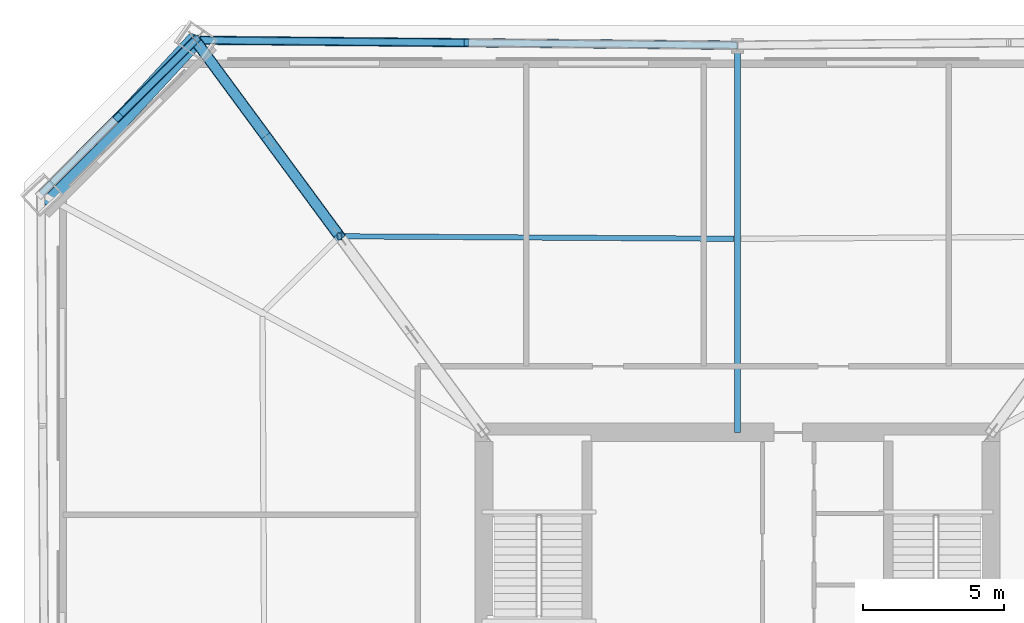
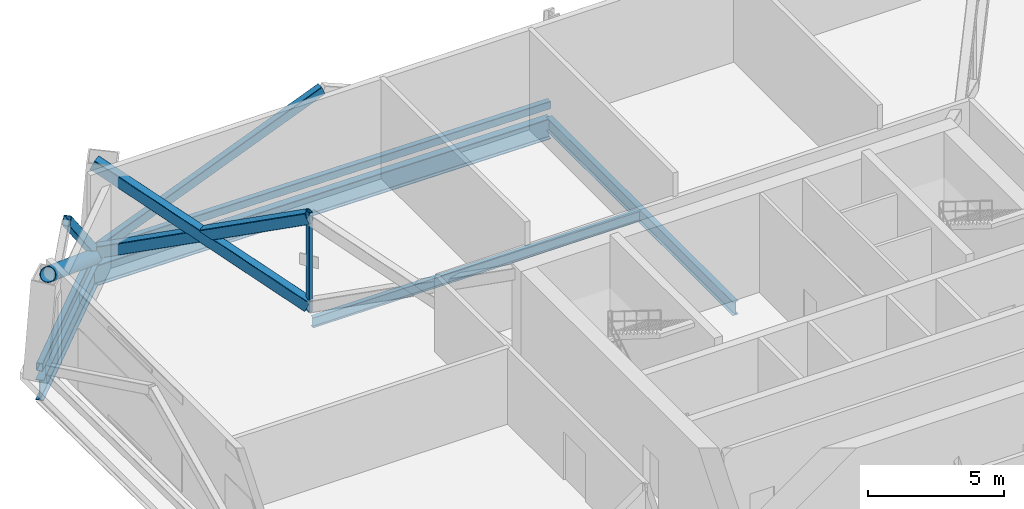
# One storey, part 6 of 14: 9 members, 4 beams.
"""IFC4 building model written with IfcOpenShell, lengths in metres."""

from ifc_helpers import new_model, si_unit, direction, frame, origin, origin_2d, place, context, subcontext, project, spatial, hollow_rectangle, hollow_circle, i_section, extrude, material, material_profile, profile_set, type_object, element, save


model = new_model("IFC4")

# Units and contexts
model_context = context("Model", 3, precision=1e-05, world=origin(), true_north=direction((0.0, 1.0)))
body_context = subcontext(model_context, "Body", "Model", "MODEL_VIEW")
ifc_project = project(units=[si_unit("LENGTHUNIT", "METRE"), si_unit("AREAUNIT", "SQUARE_METRE"), si_unit("VOLUMEUNIT", "CUBIC_METRE"), si_unit("PLANEANGLEUNIT", "RADIAN"), si_unit("MASSUNIT", "GRAM", prefix="KILO")], contexts=[model_context])

# Site, building, storey
site_placement = place(None, origin())
site = spatial("IfcSite", under=ifc_project, at=site_placement, CompositionType="ELEMENT")
building_placement = place(site_placement, origin())
building = spatial("IfcBuilding", under=site, at=building_placement, Name="Caelvoria Tower", CompositionType="ELEMENT")
storey_placement = place(building_placement, frame((0.0, 0.0, 85.60009765625)))
storey = spatial("IfcBuildingStorey", under=building, at=storey_placement, Name="L22", CompositionType="ELEMENT", Elevation=85.60009765625)

# Members
ifc_material_1 = material(Name="Structural Steel ASTM A572 Gr.50", Category="steel")
ifc_material_profile_1 = material_profile(ifc_material_1, hollow_rectangle(XDim=0.25, YDim=0.35009765625, WallThickness=0.013916015625, InnerFilletRadius=0.013916015625, OuterFilletRadius=0.028076171875, at=origin_2d()), Name="Structural Steel ASTM A572 Gr.50")
ifc_profile_set_1 = profile_set([ifc_material_profile_1], Name="HSS350X250X14 - Structural Steel ASTM A572 Gr.50")
member_type_1 = type_object("IfcMemberType", Name="Belt Truss Chord Member HSS350X250X14", PredefinedType="CHORD", material=ifc_profile_set_1)
member_1_placement = place(storey_placement, frame((46.0, 53.74658203125, 0.25), z_axis=(-0.999956710946, 0.009304635098, 0.0), x_axis=(-0.009304635098, -0.999956710946, 0.0)))
element("IfcMember", 1, at=member_1_placement, inside=storey, type_object=member_type_1, Name="Belt Truss Bottom Chord L22-07", PredefinedType="CHORD", context=body_context, shape_type="SweptSolid", body=[
    extrude(hollow_rectangle(XDim=0.25, YDim=0.35009765625, WallThickness=0.013916015625, InnerFilletRadius=0.013916015625, OuterFilletRadius=0.028076171875, at=origin_2d()), origin(), (0.0, 0.0, 1.0), 19.259033203125),
])
member_2_placement = place(storey_placement, frame((26.74169921875, 53.92578125, 0.25), z_axis=(-0.708242693493, -0.705969041186, 0.0), x_axis=(0.705969041186, -0.708242693493, 0.0)))
element("IfcMember", 2, at=member_2_placement, inside=storey, type_object=member_type_1, Name="Belt Truss Bottom Chord L22-08", PredefinedType="CHORD", context=body_context, shape_type="SweptSolid", body=[
    extrude(hollow_rectangle(XDim=0.25, YDim=0.35009765625, WallThickness=0.013916015625, InnerFilletRadius=0.013916015625, OuterFilletRadius=0.028076171875, at=origin_2d()), origin(), (0.0, 0.0, 1.0), 7.731201171875),
])
ifc_material_profile_2 = material_profile(ifc_material_1, hollow_rectangle(XDim=0.300048828125, YDim=0.39990234375, WallThickness=0.01611328125, InnerFilletRadius=0.01611328125, OuterFilletRadius=0.031982421875, at=origin_2d()), Name="Structural Steel ASTM A572 Gr.50")
ifc_profile_set_2 = profile_set([ifc_material_profile_2], Name="HSS400X300X16 - Structural Steel ASTM A572 Gr.50")
member_type_2 = type_object("IfcMemberType", Name="Belt Truss Diagonal HSS400X300X16", PredefinedType="BRACE", material=ifc_profile_set_2)
member_3_placement = place(storey_placement, frame((36.370849609375, 53.836181640625, 4.22998046875), z_axis=(-0.924135026447, 0.00859911145, -0.381969250301), x_axis=(-0.009304635098, -0.999956710946, 0.0)))
element("IfcMember", 3, at=member_3_placement, inside=storey, type_object=member_type_2, Name="Belt Truss Diagonal L22-07B", PredefinedType="BRACE", context=body_context, shape_type="SweptSolid", body=[
    extrude(hollow_rectangle(XDim=0.300048828125, YDim=0.39990234375, WallThickness=0.01611328125, InnerFilletRadius=0.01611328125, OuterFilletRadius=0.031982421875, at=origin_2d()), origin(), (0.0, 0.0, 1.0), 10.419677734375),
])
member_4_placement = place(storey_placement, frame((26.74169921875, 53.92578125, 0.25), z_axis=(-0.493450508145, -0.491866397365, 0.717338165132), x_axis=(0.705969041186, -0.708242693493, 0.0)))
element("IfcMember", 4, at=member_4_placement, inside=storey, type_object=member_type_2, Name="Belt Truss Diagonal L22-08A", PredefinedType="BRACE", context=body_context, shape_type="SweptSolid", body=[
    extrude(hollow_rectangle(XDim=0.300048828125, YDim=0.39990234375, WallThickness=0.01611328125, InnerFilletRadius=0.01611328125, OuterFilletRadius=0.031982421875, at=origin_2d()), origin(), (0.0, 0.0, 1.0), 5.54833984375),
])
ifc_material_profile_3 = material_profile(ifc_material_1, hollow_circle(Radius=0.304931640625, WallThickness=0.02490234375, at=origin_2d()), Name="Structural Steel ASTM A572 Gr.50")
ifc_profile_set_3 = profile_set([ifc_material_profile_3], Name="CHS610X25 - Structural Steel ASTM A572 Gr.50")
member_type_3 = type_object("IfcMemberType", Name="Lower Perimeter Mega Brace CHS610X25", PredefinedType="BRACE", material=ifc_profile_set_3)
member_5_placement = place(storey_placement, frame((26.74169921875, 53.92578125, 0.0), z_axis=(-0.587527871017, -0.635786068715, 0.500586731353), x_axis=(0.734430016076, -0.678684427025, 0.0)))
element("IfcMember", 5, at=member_5_placement, inside=storey, type_object=member_type_3, Name="Perimeter Chamfer Mega Brace L22 NW", PredefinedType="BRACE", context=body_context, shape_type="SweptSolid", body=[
    extrude(hollow_circle(Radius=0.304931640625, WallThickness=0.02490234375, at=origin_2d()), origin(), (0.0, 0.0, 1.0), 8.949462890625),
])
ifc_material_profile_4 = material_profile(ifc_material_1, hollow_rectangle(XDim=0.39990234375, YDim=0.5, WallThickness=0.02197265625, InnerFilletRadius=0.02197265625, OuterFilletRadius=0.0439453125, at=origin_2d()), Name="Structural Steel ASTM A572 Gr.50")
ifc_profile_set_4 = profile_set([ifc_material_profile_4], Name="HSS500X400X22 - Structural Steel ASTM A572 Gr.50")
member_type_4 = type_object("IfcMemberType", Name="Outrigger Diagonal HSS500X400X22", PredefinedType="BRACE", material=ifc_profile_set_4)
member_6_placement = place(storey_placement, frame((31.870849609375, 46.962890625, 0.25), z_axis=(-0.538776675709, 0.731396581999, 0.418065465629), x_axis=(-0.805133172892, -0.593094068348, 0.0)))
element("IfcMember", 6, at=member_6_placement, inside=storey, type_object=member_type_4, Name="Outrigger Truss Diagonal L22-NW-2A", PredefinedType="BRACE", context=body_context, shape_type="SweptSolid", body=[
    extrude(hollow_rectangle(XDim=0.39990234375, YDim=0.5, WallThickness=0.02197265625, InnerFilletRadius=0.02197265625, OuterFilletRadius=0.0439453125, at=origin_2d()), origin(), (0.0, 0.0, 1.0), 9.52001953125),
])
for number, where, z_axis, x_axis, name in (
    (7, (31.870849609375, 46.962890625, 4.22998046875), (-0.538758474541, 0.731406687638, -0.418071242001), (-0.805146653518, -0.593075767781, 0.0), "Outrigger Truss Diagonal L22-NW-2B1"),
    (8, (29.306396484375, 50.4443359375, 2.239990234375), (-0.538794876123, 0.731386476298, -0.418059689222), (-0.805119692301, -0.593112367996, 0.0), "Outrigger Truss Diagonal L22-NW-2B2"),
):
    element("IfcMember", number, at=place(storey_placement, frame(where, z_axis=z_axis, x_axis=x_axis)), inside=storey, type_object=member_type_4, Name=name, PredefinedType="BRACE", context=body_context, shape_type="SweptSolid", body=[
        extrude(hollow_rectangle(XDim=0.39990234375, YDim=0.5, WallThickness=0.02197265625, InnerFilletRadius=0.02197265625, OuterFilletRadius=0.0439453125, at=origin_2d()), origin(), (0.0, 0.0, 1.0), 4.760009765625),
    ])

# Beams
ifc_material_2 = material(Name="Structural Steel ASTM A992 Gr.50", Category="steel")
ifc_material_profile_5 = material_profile(ifc_material_2, i_section(OverallWidth=0.30810546875, OverallDepth=0.927001953125, WebThickness=0.019287109375, FlangeThickness=0.031982421875, FilletRadius=0.02392578125, at=origin_2d()), Name="Structural Steel ASTM A992 Gr.50")
ifc_profile_set_5 = profile_set([ifc_material_profile_5], Name="W920X289 - Structural Steel ASTM A992 Gr.50")
beam_type_1 = type_object("IfcBeamType", Name="Outrigger Tie Girder W920X289", PredefinedType="BEAM", material=ifc_profile_set_5)
beam_1_placement = place(storey_placement, frame((46.0, 53.74658203125, -0.78369140625), z_axis=(-0.999956710946, 0.009304635098, 0.0), x_axis=(-0.009304635098, -0.999956710946, 0.0)))
element("IfcBeam", 9, at=beam_1_placement, inside=storey, type_object=beam_type_1, Name="Perimeter Spandrel Girder L22-07", PredefinedType="BEAM", context=body_context, shape_type="SweptSolid", body=[
    extrude(i_section(OverallWidth=0.30810546875, OverallDepth=0.927001953125, WebThickness=0.019287109375, FlangeThickness=0.031982421875, FilletRadius=0.02392578125, at=origin_2d()), origin(), (0.0, 0.0, 1.0), 19.259033203125),
])
beam_2_placement = place(storey_placement, frame((26.74169921875, 53.92578125, -0.78369140625), z_axis=(-0.708242693493, -0.705969041186, 0.0), x_axis=(0.705969041186, -0.708242693493, 0.0)))
element("IfcBeam", 10, at=beam_2_placement, inside=storey, type_object=beam_type_1, Name="Perimeter Spandrel Girder L22-08", PredefinedType="BEAM", context=body_context, shape_type="SweptSolid", body=[
    extrude(i_section(OverallWidth=0.30810546875, OverallDepth=0.927001953125, WebThickness=0.019287109375, FlangeThickness=0.031982421875, FilletRadius=0.02392578125, at=origin_2d()), origin(), (0.0, 0.0, 1.0), 7.731201171875),
])
ifc_material_profile_6 = material_profile(ifc_material_2, i_section(OverallWidth=0.22900390625, OverallDepth=0.612060546875, WebThickness=0.011962890625, FlangeThickness=0.01953125, FilletRadius=0.01806640625, at=origin_2d()), Name="Structural Steel ASTM A992 Gr.50")
ifc_profile_set_6 = profile_set([ifc_material_profile_6], Name="W610X125 - Structural Steel ASTM A992 Gr.50")
beam_type_2 = type_object("IfcBeamType", Name="Primary Radial Floor Girder W610X125", PredefinedType="BEAM", material=ifc_profile_set_6)
beam_3_placement = place(storey_placement, frame((46.0, 40.0, -0.6259765625), z_axis=(0.0, 1.0, 0.0), x_axis=(-1.0, 0.0, 0.0)))
element("IfcBeam", 11, at=beam_3_placement, inside=storey, type_object=beam_type_2, Name="Primary Floor Girder L22-07", PredefinedType="BEAM", context=body_context, shape_type="SweptSolid", body=[
    extrude(i_section(OverallWidth=0.22900390625, OverallDepth=0.612060546875, WebThickness=0.011962890625, FlangeThickness=0.01953125, FilletRadius=0.01806640625, at=origin_2d()), origin(), (0.0, 0.0, 1.0), 13.74658203125),
])
ifc_material_profile_7 = material_profile(ifc_material_2, i_section(OverallWidth=0.18994140625, OverallDepth=0.45703125, WebThickness=0.009033203125, FlangeThickness=0.014404296875, FilletRadius=0.014892578125, at=origin_2d()), Name="Structural Steel ASTM A992 Gr.50")
ifc_profile_set_7 = profile_set([ifc_material_profile_7], Name="W460X74 - Structural Steel ASTM A992 Gr.50")
beam_type_3 = type_object("IfcBeamType", Name="Secondary Floor Beam W460X74", PredefinedType="BEAM", material=ifc_profile_set_7)
beam_4_placement = place(storey_placement, frame((45.875, 46.874267578125, -0.548583984375), z_axis=(-0.999979949912, 0.006332438248, 0.0), x_axis=(-0.006332438248, -0.999979949912, 0.0)))
element("IfcBeam", 12, at=beam_4_placement, inside=storey, type_object=beam_type_3, Name="Secondary Floor Beam L22-07", PredefinedType="BEAM", context=body_context, shape_type="SweptSolid", body=[
    extrude(i_section(OverallWidth=0.18994140625, OverallDepth=0.45703125, WebThickness=0.009033203125, FlangeThickness=0.014404296875, FilletRadius=0.014892578125, at=origin_2d()), origin(), (0.0, 0.0, 1.0), 13.87939453125),
])

# Member
ifc_material_profile_8 = material_profile(ifc_material_1, hollow_rectangle(XDim=0.14990234375, YDim=0.25, WallThickness=0.010009765625, InnerFilletRadius=0.010009765625, OuterFilletRadius=0.02001953125, at=origin_2d()), Name="Structural Steel ASTM A572 Gr.50")
ifc_profile_set_8 = profile_set([ifc_material_profile_8], Name="HSS250X150X10 - Structural Steel ASTM A572 Gr.50")
member_type_5 = type_object("IfcMemberType", Name="Sky Pool Truss Post HSS250X150X10", PredefinedType="POST", material=ifc_profile_set_8)
member_7_placement = place(storey_placement, frame((31.870849609375, 46.962890625, 0.0), z_axis=(0.0, 0.0, 1.0), x_axis=(1.0, 0.0, 0.0)))
element("IfcMember", 13, at=member_7_placement, inside=storey, type_object=member_type_5, Name="Outrigger Mid-Panel Post L22-NW", PredefinedType="POST", context=body_context, shape_type="SweptSolid", body=[
    extrude(hollow_rectangle(XDim=0.14990234375, YDim=0.25, WallThickness=0.010009765625, InnerFilletRadius=0.010009765625, OuterFilletRadius=0.02001953125, at=origin_2d()), origin(), (0.0, 0.0, 1.0), 4.47998046875),
])

save(model, "model.ifc")
